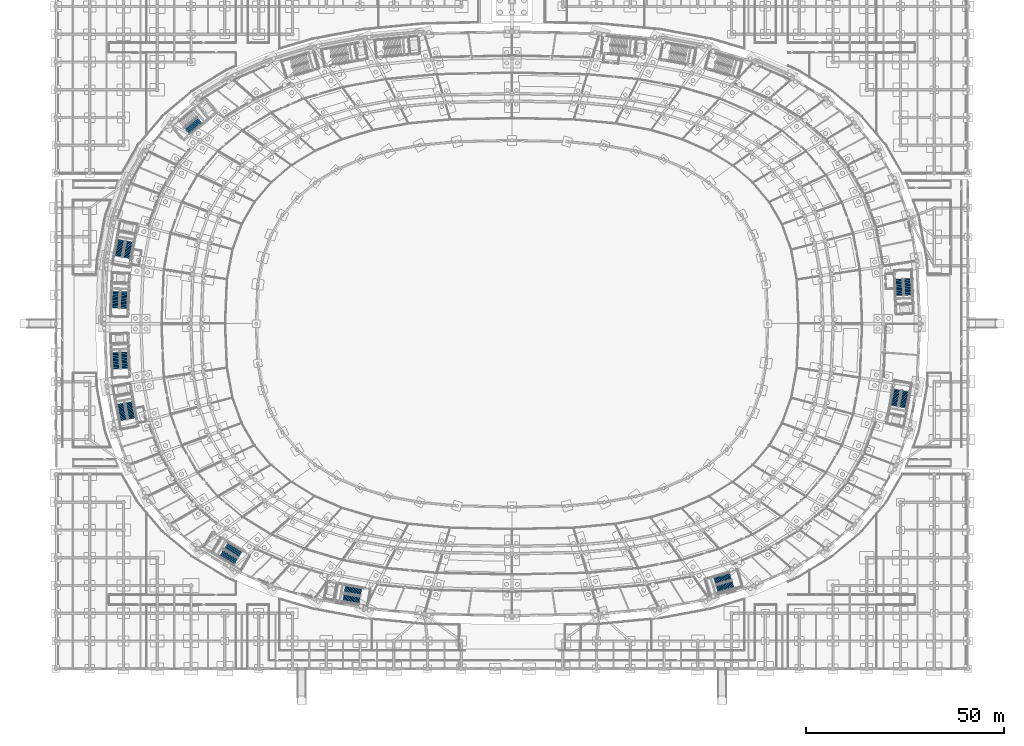
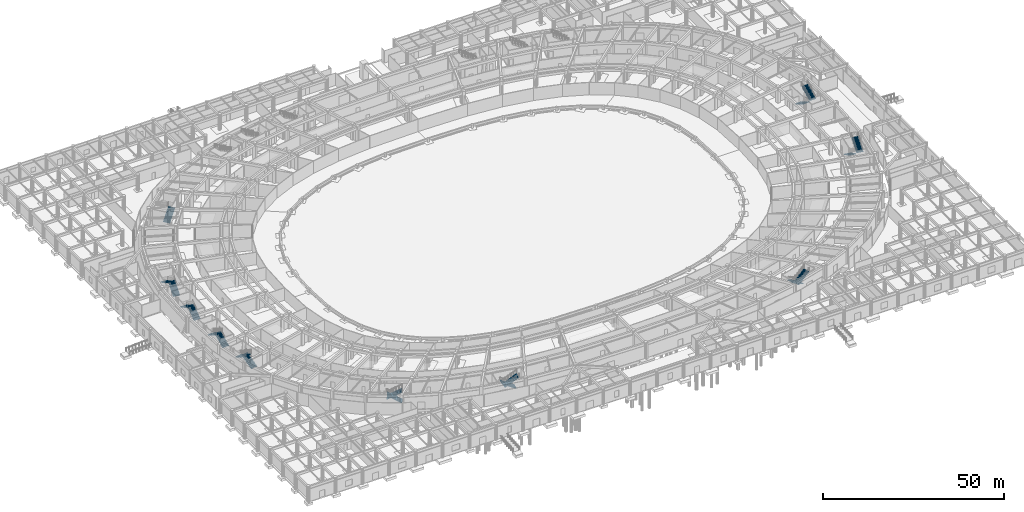
# One storey, part 66 of 88: 19 stair flights, 10 elements without a shape of their own.
"""IFC4 building model written with IfcOpenShell, lengths in metres."""

from ifc_helpers import new_model, si_unit, direction, frame, origin, place, context, subcontext, project, spatial, polyline, outline, extrude, material, type_object, element, aggregate, save


model = new_model("IFC4")

# Units and contexts
model_context = context("Model", 3, precision=1e-05, world=origin(), true_north=direction((0.0, 1.0)))
body_context = subcontext(model_context, "Body", "Model", "MODEL_VIEW")
ifc_project = project(units=[si_unit("LENGTHUNIT", "METRE"), si_unit("AREAUNIT", "SQUARE_METRE"), si_unit("VOLUMEUNIT", "CUBIC_METRE"), si_unit("PLANEANGLEUNIT", "RADIAN"), si_unit("MASSUNIT", "GRAM", prefix="KILO")], contexts=[model_context])

# Site, building, storey
site_placement = place(None, origin())
site = spatial("IfcSite", under=ifc_project, at=site_placement, CompositionType="ELEMENT")
building_placement = place(site_placement, origin())
building = spatial("IfcBuilding", under=site, at=building_placement, Name="Mphavela Belvedere Stadium", CompositionType="ELEMENT")
storey_placement = place(building_placement, origin())
storey = spatial("IfcBuildingStorey", under=building, at=storey_placement, Name="L00", CompositionType="ELEMENT", Elevation=0.0)

# Stair, stair flights
ifc_material_1 = material(Name="Concrete C40/50", Category="concrete")
stair_type_1 = type_object("IfcStairType", Name="STR-HALF-TURN-1", PredefinedType="HALF_TURN_STAIR", material=ifc_material_1)
stair_1_placement = place(storey_placement, origin())
stair_1 = element("IfcStair", 1, at=stair_1_placement, inside=storey, type_object=stair_type_1, Name="L00 Escape stair core C01", PredefinedType="HALF_TURN_STAIR")
ifc_material_2 = material(Name="Concrete C40/50", Category="concrete")
stair_flight_type = type_object("IfcStairFlightType", Name="SFL-CORE-152", PredefinedType="STRAIGHT", material=ifc_material_2)
stair_flight_1_placement = place(storey_placement, frame((212.57373046875, 98.3193359375, 0.0), z_axis=(0.0, 0.0, 1.0), x_axis=(0.041875653729, -0.999122830099, 0.0)))
stair_flight_1 = element("IfcStairFlight", 2, at=stair_flight_1_placement, type_object=stair_flight_type, Name="ST-C01 flight 1", NumberOfRisers=15, NumberOfTreads=14, PredefinedType="STRAIGHT", RiserHeight=0.18, TreadLength=0.302, context=body_context, shape_type="SweptSolid", body=[
    extrude(outline(polyline([(0.0, 0.0), (0.0, 0.179931640625), (0.302001953125, 0.179931640625), (0.302001953125, 0.360107421875), (0.60400390625, 0.360107421875), (0.60400390625, 0.5400390625), (0.906005859375, 0.5400390625), (0.906005859375, 0.719970703125), (1.2080078125, 0.719970703125), (1.2080078125, 0.89990234375), (1.510009765625, 0.89990234375), (1.510009765625, 1.080078125), (1.81201171875, 1.080078125), (1.81201171875, 1.260009765625), (2.114013671875, 1.260009765625), (2.114013671875, 1.43994140625), (2.416015625, 1.43994140625), (2.416015625, 1.6201171875), (2.718017578125, 1.6201171875), (2.718017578125, 1.800048828125), (3.02001953125, 1.800048828125), (3.02001953125, 1.97998046875), (3.322021484375, 1.97998046875), (3.322021484375, 2.159912109375), (3.6240234375, 2.159912109375), (3.6240234375, 2.340087890625), (3.926025390625, 2.340087890625), (3.926025390625, 2.52001953125), (4.22802734375, 2.52001953125), (4.22802734375, 2.699951171875), (4.22802734375, 2.345458984375), (0.292724609375, 0.0), (0.0, 0.0)])), frame((0.0, 1.010009765625, 0.0), z_axis=(0.0, -1.0, 0.0), x_axis=(1.0, 0.0, 0.0)), (0.0, 0.0, 1.0), 2.02001953125),
])
stair_flight_2_placement = place(storey_placement, frame((214.9189453125, 94.185791015625, 2.699951171875), z_axis=(0.0, 0.0, 1.0), x_axis=(-0.041875653729, 0.999122830099, 0.0)))
stair_flight_2 = element("IfcStairFlight", 3, at=stair_flight_2_placement, type_object=stair_flight_type, Name="ST-C01 flight 2", NumberOfRisers=15, NumberOfTreads=14, PredefinedType="STRAIGHT", RiserHeight=0.18, TreadLength=0.302, context=body_context, shape_type="SweptSolid", body=[
    extrude(outline(polyline([(0.0, 0.0), (0.0, 0.179931640625), (0.302001953125, 0.179931640625), (0.302001953125, 0.360107421875), (0.60400390625, 0.360107421875), (0.60400390625, 0.5400390625), (0.906005859375, 0.5400390625), (0.906005859375, 0.719970703125), (1.2080078125, 0.719970703125), (1.2080078125, 0.89990234375), (1.510009765625, 0.89990234375), (1.510009765625, 1.080078125), (1.81201171875, 1.080078125), (1.81201171875, 1.260009765625), (2.114013671875, 1.260009765625), (2.114013671875, 1.43994140625), (2.416015625, 1.43994140625), (2.416015625, 1.6201171875), (2.718017578125, 1.6201171875), (2.718017578125, 1.800048828125), (3.02001953125, 1.800048828125), (3.02001953125, 1.97998046875), (3.322021484375, 1.97998046875), (3.322021484375, 2.159912109375), (3.6240234375, 2.159912109375), (3.6240234375, 2.340087890625), (3.926025390625, 2.340087890625), (3.926025390625, 2.52001953125), (4.22802734375, 2.52001953125), (4.22802734375, 2.699951171875), (4.22802734375, 2.345458984375), (0.292724609375, 0.0), (0.0, 0.0)])), frame((0.0, 1.010009765625, 0.0), z_axis=(0.0, -1.0, 0.0), x_axis=(1.0, 0.0, 0.0)), (0.0, 0.0, 1.0), 2.02001953125),
])
aggregate(stair_1, [stair_flight_1, stair_flight_2])

# Stair, stair flight
ifc_material_3 = material(Name="Concrete C40/50", Category="concrete")
stair_type_2 = type_object("IfcStairType", Name="STR-HALF-TURN-2", PredefinedType="HALF_TURN_STAIR", material=ifc_material_3)
stair_2_placement = place(storey_placement, origin())
stair_2 = element("IfcStair", 4, at=stair_2_placement, inside=storey, type_object=stair_type_2, Name="L00 Escape stair core C05", PredefinedType="HALF_TURN_STAIR")
stair_flight_3_placement = place(storey_placement, frame((33.068115234375, 135.525146484375, 0.0), z_axis=(0.0, 0.0, 1.0), x_axis=(0.764246456939, 0.644924300253, 0.0)))
stair_flight_3 = element("IfcStairFlight", 5, at=stair_flight_3_placement, type_object=stair_flight_type, Name="ST-C05 flight 1", NumberOfRisers=15, NumberOfTreads=14, PredefinedType="STRAIGHT", RiserHeight=0.18, TreadLength=0.302, context=body_context, shape_type="SweptSolid", body=[
    extrude(outline(polyline([(0.0, 0.0), (0.0, 0.179931640625), (0.302001953125, 0.179931640625), (0.302001953125, 0.360107421875), (0.60400390625, 0.360107421875), (0.60400390625, 0.5400390625), (0.906005859375, 0.5400390625), (0.906005859375, 0.719970703125), (1.2080078125, 0.719970703125), (1.2080078125, 0.89990234375), (1.510009765625, 0.89990234375), (1.510009765625, 1.080078125), (1.81201171875, 1.080078125), (1.81201171875, 1.260009765625), (2.114013671875, 1.260009765625), (2.114013671875, 1.43994140625), (2.416015625, 1.43994140625), (2.416015625, 1.6201171875), (2.718017578125, 1.6201171875), (2.718017578125, 1.800048828125), (3.02001953125, 1.800048828125), (3.02001953125, 1.97998046875), (3.322021484375, 1.97998046875), (3.322021484375, 2.159912109375), (3.6240234375, 2.159912109375), (3.6240234375, 2.340087890625), (3.926025390625, 2.340087890625), (3.926025390625, 2.52001953125), (4.22802734375, 2.52001953125), (4.22802734375, 2.699951171875), (4.22802734375, 2.345458984375), (0.292724609375, 0.0), (0.0, 0.0)])), frame((0.0, 1.010009765625, 0.0), z_axis=(0.0, -1.0, 0.0), x_axis=(1.0, 0.0, 0.0)), (0.0, 0.0, 1.0), 2.02001953125),
])
aggregate(stair_2, [stair_flight_3])

# Stair, stair flights
ifc_material_4 = material(Name="Concrete C40/50", Category="concrete")
stair_type_3 = type_object("IfcStairType", Name="STR-HALF-TURN-3", PredefinedType="HALF_TURN_STAIR", material=ifc_material_4)
stair_3_placement = place(storey_placement, origin())
stair_3 = element("IfcStair", 6, at=stair_3_placement, inside=storey, type_object=stair_type_3, Name="L00 Escape stair core C06", PredefinedType="HALF_TURN_STAIR")
stair_flight_4_placement = place(storey_placement, frame((17.851806640625, 103.57861328125, 0.0), z_axis=(0.0, 0.0, 1.0), x_axis=(0.182578735093, 0.983191235463, 0.0)))
stair_flight_4 = element("IfcStairFlight", 7, at=stair_flight_4_placement, type_object=stair_flight_type, Name="ST-C06 flight 1", NumberOfRisers=15, NumberOfTreads=14, PredefinedType="STRAIGHT", RiserHeight=0.18, TreadLength=0.302, context=body_context, shape_type="SweptSolid", body=[
    extrude(outline(polyline([(0.0, 0.0), (0.0, 0.179931640625), (0.302001953125, 0.179931640625), (0.302001953125, 0.360107421875), (0.60400390625, 0.360107421875), (0.60400390625, 0.5400390625), (0.906005859375, 0.5400390625), (0.906005859375, 0.719970703125), (1.2080078125, 0.719970703125), (1.2080078125, 0.89990234375), (1.510009765625, 0.89990234375), (1.510009765625, 1.080078125), (1.81201171875, 1.080078125), (1.81201171875, 1.260009765625), (2.114013671875, 1.260009765625), (2.114013671875, 1.43994140625), (2.416015625, 1.43994140625), (2.416015625, 1.6201171875), (2.718017578125, 1.6201171875), (2.718017578125, 1.800048828125), (3.02001953125, 1.800048828125), (3.02001953125, 1.97998046875), (3.322021484375, 1.97998046875), (3.322021484375, 2.159912109375), (3.6240234375, 2.159912109375), (3.6240234375, 2.340087890625), (3.926025390625, 2.340087890625), (3.926025390625, 2.52001953125), (4.22802734375, 2.52001953125), (4.22802734375, 2.699951171875), (4.22802734375, 2.345458984375), (0.292724609375, 0.0), (0.0, 0.0)])), frame((0.0, 1.010009765625, 0.0), z_axis=(0.0, -1.0, 0.0), x_axis=(1.0, 0.0, 0.0)), (0.0, 0.0, 1.0), 2.02001953125),
])
stair_flight_5_placement = place(storey_placement, frame((16.490234375, 108.131591796875, 2.699951171875), z_axis=(0.0, 0.0, 1.0), x_axis=(-0.182578735093, -0.983191235463, 0.0)))
stair_flight_5 = element("IfcStairFlight", 8, at=stair_flight_5_placement, type_object=stair_flight_type, Name="ST-C06 flight 2", NumberOfRisers=15, NumberOfTreads=14, PredefinedType="STRAIGHT", RiserHeight=0.18, TreadLength=0.302, context=body_context, shape_type="SweptSolid", body=[
    extrude(outline(polyline([(0.0, 0.0), (0.0, 0.179931640625), (0.302001953125, 0.179931640625), (0.302001953125, 0.360107421875), (0.60400390625, 0.360107421875), (0.60400390625, 0.5400390625), (0.906005859375, 0.5400390625), (0.906005859375, 0.719970703125), (1.2080078125, 0.719970703125), (1.2080078125, 0.89990234375), (1.510009765625, 0.89990234375), (1.510009765625, 1.080078125), (1.81201171875, 1.080078125), (1.81201171875, 1.260009765625), (2.114013671875, 1.260009765625), (2.114013671875, 1.43994140625), (2.416015625, 1.43994140625), (2.416015625, 1.6201171875), (2.718017578125, 1.6201171875), (2.718017578125, 1.800048828125), (3.02001953125, 1.800048828125), (3.02001953125, 1.97998046875), (3.322021484375, 1.97998046875), (3.322021484375, 2.159912109375), (3.6240234375, 2.159912109375), (3.6240234375, 2.340087890625), (3.926025390625, 2.340087890625), (3.926025390625, 2.52001953125), (4.22802734375, 2.52001953125), (4.22802734375, 2.699951171875), (4.22802734375, 2.345458984375), (0.292724609375, 0.0), (0.0, 0.0)])), frame((0.0, 1.010009765625, 0.0), z_axis=(0.0, -1.0, 0.0), x_axis=(1.0, 0.0, 0.0)), (0.0, 0.0, 1.0), 2.02001953125),
])
aggregate(stair_3, [stair_flight_4, stair_flight_5])

stair_4_placement = place(storey_placement, origin())
stair_4 = element("IfcStair", 9, at=stair_4_placement, inside=storey, type_object=stair_type_1, Name="L00 Escape stair core C07", PredefinedType="HALF_TURN_STAIR")
stair_flight_6_placement = place(storey_placement, frame((17.11376953125, 90.86572265625, 0.0), z_axis=(0.0, 0.0, 1.0), x_axis=(0.041875653729, 0.999122830099, 0.0)))
stair_flight_6 = element("IfcStairFlight", 10, at=stair_flight_6_placement, type_object=stair_flight_type, Name="ST-C07 flight 1", NumberOfRisers=15, NumberOfTreads=14, PredefinedType="STRAIGHT", RiserHeight=0.18, TreadLength=0.302, context=body_context, shape_type="SweptSolid", body=[
    extrude(outline(polyline([(0.0, 0.0), (0.0, 0.179931640625), (0.302001953125, 0.179931640625), (0.302001953125, 0.360107421875), (0.60400390625, 0.360107421875), (0.60400390625, 0.5400390625), (0.906005859375, 0.5400390625), (0.906005859375, 0.719970703125), (1.2080078125, 0.719970703125), (1.2080078125, 0.89990234375), (1.510009765625, 0.89990234375), (1.510009765625, 1.080078125), (1.81201171875, 1.080078125), (1.81201171875, 1.260009765625), (2.114013671875, 1.260009765625), (2.114013671875, 1.43994140625), (2.416015625, 1.43994140625), (2.416015625, 1.6201171875), (2.718017578125, 1.6201171875), (2.718017578125, 1.800048828125), (3.02001953125, 1.800048828125), (3.02001953125, 1.97998046875), (3.322021484375, 1.97998046875), (3.322021484375, 2.159912109375), (3.6240234375, 2.159912109375), (3.6240234375, 2.340087890625), (3.926025390625, 2.340087890625), (3.926025390625, 2.52001953125), (4.22802734375, 2.52001953125), (4.22802734375, 2.699951171875), (4.22802734375, 2.345458984375), (0.292724609375, 0.0), (0.0, 0.0)])), frame((0.0, 1.010009765625, 0.0), z_axis=(0.0, -1.0, 0.0), x_axis=(1.0, 0.0, 0.0)), (0.0, 0.0, 1.0), 2.02001953125),
])
stair_flight_7_placement = place(storey_placement, frame((15.122802734375, 95.180908203125, 2.699951171875), z_axis=(0.0, 0.0, 1.0), x_axis=(-0.041875653729, -0.999122830099, 0.0)))
stair_flight_7 = element("IfcStairFlight", 11, at=stair_flight_7_placement, type_object=stair_flight_type, Name="ST-C07 flight 2", NumberOfRisers=15, NumberOfTreads=14, PredefinedType="STRAIGHT", RiserHeight=0.18, TreadLength=0.302, context=body_context, shape_type="SweptSolid", body=[
    extrude(outline(polyline([(0.0, 0.0), (0.0, 0.179931640625), (0.302001953125, 0.179931640625), (0.302001953125, 0.360107421875), (0.60400390625, 0.360107421875), (0.60400390625, 0.5400390625), (0.906005859375, 0.5400390625), (0.906005859375, 0.719970703125), (1.2080078125, 0.719970703125), (1.2080078125, 0.89990234375), (1.510009765625, 0.89990234375), (1.510009765625, 1.080078125), (1.81201171875, 1.080078125), (1.81201171875, 1.260009765625), (2.114013671875, 1.260009765625), (2.114013671875, 1.43994140625), (2.416015625, 1.43994140625), (2.416015625, 1.6201171875), (2.718017578125, 1.6201171875), (2.718017578125, 1.800048828125), (3.02001953125, 1.800048828125), (3.02001953125, 1.97998046875), (3.322021484375, 1.97998046875), (3.322021484375, 2.159912109375), (3.6240234375, 2.159912109375), (3.6240234375, 2.340087890625), (3.926025390625, 2.340087890625), (3.926025390625, 2.52001953125), (4.22802734375, 2.52001953125), (4.22802734375, 2.699951171875), (4.22802734375, 2.345458984375), (0.292724609375, 0.0), (0.0, 0.0)])), frame((0.0, 1.010009765625, 0.0), z_axis=(0.0, -1.0, 0.0), x_axis=(1.0, 0.0, 0.0)), (0.0, 0.0, 1.0), 2.02001953125),
])
aggregate(stair_4, [stair_flight_6, stair_flight_7])

stair_5_placement = place(storey_placement, origin())
stair_5 = element("IfcStair", 12, at=stair_5_placement, inside=storey, type_object=stair_type_2, Name="L00 Escape stair core C08", PredefinedType="HALF_TURN_STAIR")
stair_flight_8_placement = place(storey_placement, frame((17.42626953125, 75.6806640625, 0.0), z_axis=(0.0, 0.0, 1.0), x_axis=(-0.041875653729, 0.999122830099, 0.0)))
stair_flight_8 = element("IfcStairFlight", 13, at=stair_flight_8_placement, type_object=stair_flight_type, Name="ST-C08 flight 1", NumberOfRisers=15, NumberOfTreads=14, PredefinedType="STRAIGHT", RiserHeight=0.18, TreadLength=0.302, context=body_context, shape_type="SweptSolid", body=[
    extrude(outline(polyline([(0.0, 0.0), (0.0, 0.179931640625), (0.302001953125, 0.179931640625), (0.302001953125, 0.360107421875), (0.60400390625, 0.360107421875), (0.60400390625, 0.5400390625), (0.906005859375, 0.5400390625), (0.906005859375, 0.719970703125), (1.2080078125, 0.719970703125), (1.2080078125, 0.89990234375), (1.510009765625, 0.89990234375), (1.510009765625, 1.080078125), (1.81201171875, 1.080078125), (1.81201171875, 1.260009765625), (2.114013671875, 1.260009765625), (2.114013671875, 1.43994140625), (2.416015625, 1.43994140625), (2.416015625, 1.6201171875), (2.718017578125, 1.6201171875), (2.718017578125, 1.800048828125), (3.02001953125, 1.800048828125), (3.02001953125, 1.97998046875), (3.322021484375, 1.97998046875), (3.322021484375, 2.159912109375), (3.6240234375, 2.159912109375), (3.6240234375, 2.340087890625), (3.926025390625, 2.340087890625), (3.926025390625, 2.52001953125), (4.22802734375, 2.52001953125), (4.22802734375, 2.699951171875), (4.22802734375, 2.345458984375), (0.292724609375, 0.0), (0.0, 0.0)])), frame((0.0, 1.010009765625, 0.0), z_axis=(0.0, -1.0, 0.0), x_axis=(1.0, 0.0, 0.0)), (0.0, 0.0, 1.0), 2.02001953125),
])
stair_flight_9_placement = place(storey_placement, frame((15.0810546875, 79.814208984375, 2.699951171875), z_axis=(0.0, 0.0, 1.0), x_axis=(0.041875653729, -0.999122830099, 0.0)))
stair_flight_9 = element("IfcStairFlight", 14, at=stair_flight_9_placement, type_object=stair_flight_type, Name="ST-C08 flight 2", NumberOfRisers=15, NumberOfTreads=14, PredefinedType="STRAIGHT", RiserHeight=0.18, TreadLength=0.302, context=body_context, shape_type="SweptSolid", body=[
    extrude(outline(polyline([(0.0, 0.0), (0.0, 0.179931640625), (0.302001953125, 0.179931640625), (0.302001953125, 0.360107421875), (0.60400390625, 0.360107421875), (0.60400390625, 0.5400390625), (0.906005859375, 0.5400390625), (0.906005859375, 0.719970703125), (1.2080078125, 0.719970703125), (1.2080078125, 0.89990234375), (1.510009765625, 0.89990234375), (1.510009765625, 1.080078125), (1.81201171875, 1.080078125), (1.81201171875, 1.260009765625), (2.114013671875, 1.260009765625), (2.114013671875, 1.43994140625), (2.416015625, 1.43994140625), (2.416015625, 1.6201171875), (2.718017578125, 1.6201171875), (2.718017578125, 1.800048828125), (3.02001953125, 1.800048828125), (3.02001953125, 1.97998046875), (3.322021484375, 1.97998046875), (3.322021484375, 2.159912109375), (3.6240234375, 2.159912109375), (3.6240234375, 2.340087890625), (3.926025390625, 2.340087890625), (3.926025390625, 2.52001953125), (4.22802734375, 2.52001953125), (4.22802734375, 2.699951171875), (4.22802734375, 2.345458984375), (0.292724609375, 0.0), (0.0, 0.0)])), frame((0.0, 1.010009765625, 0.0), z_axis=(0.0, -1.0, 0.0), x_axis=(1.0, 0.0, 0.0)), (0.0, 0.0, 1.0), 2.02001953125),
])
aggregate(stair_5, [stair_flight_8, stair_flight_9])

stair_6_placement = place(storey_placement, origin())
stair_6 = element("IfcStair", 15, at=stair_6_placement, inside=storey, type_object=stair_type_3, Name="L00 Escape stair core C09", PredefinedType="HALF_TURN_STAIR")
stair_flight_10_placement = place(storey_placement, frame((19.2138671875, 63.0869140625, 0.0), z_axis=(0.0, 0.0, 1.0), x_axis=(-0.182578735093, 0.983191235463, 0.0)))
stair_flight_10 = element("IfcStairFlight", 16, at=stair_flight_10_placement, type_object=stair_flight_type, Name="ST-C09 flight 1", NumberOfRisers=15, NumberOfTreads=14, PredefinedType="STRAIGHT", RiserHeight=0.18, TreadLength=0.302, context=body_context, shape_type="SweptSolid", body=[
    extrude(outline(polyline([(0.0, 0.0), (0.0, 0.179931640625), (0.302001953125, 0.179931640625), (0.302001953125, 0.360107421875), (0.60400390625, 0.360107421875), (0.60400390625, 0.5400390625), (0.906005859375, 0.5400390625), (0.906005859375, 0.719970703125), (1.2080078125, 0.719970703125), (1.2080078125, 0.89990234375), (1.510009765625, 0.89990234375), (1.510009765625, 1.080078125), (1.81201171875, 1.080078125), (1.81201171875, 1.260009765625), (2.114013671875, 1.260009765625), (2.114013671875, 1.43994140625), (2.416015625, 1.43994140625), (2.416015625, 1.6201171875), (2.718017578125, 1.6201171875), (2.718017578125, 1.800048828125), (3.02001953125, 1.800048828125), (3.02001953125, 1.97998046875), (3.322021484375, 1.97998046875), (3.322021484375, 2.159912109375), (3.6240234375, 2.159912109375), (3.6240234375, 2.340087890625), (3.926025390625, 2.340087890625), (3.926025390625, 2.52001953125), (4.22802734375, 2.52001953125), (4.22802734375, 2.699951171875), (4.22802734375, 2.345458984375), (0.292724609375, 0.0), (0.0, 0.0)])), frame((0.0, 1.010009765625, 0.0), z_axis=(0.0, -1.0, 0.0), x_axis=(1.0, 0.0, 0.0)), (0.0, 0.0, 1.0), 2.02001953125),
])
stair_flight_11_placement = place(storey_placement, frame((16.308349609375, 66.84765625, 2.699951171875), z_axis=(0.0, 0.0, 1.0), x_axis=(0.182578735093, -0.983191235463, 0.0)))
stair_flight_11 = element("IfcStairFlight", 17, at=stair_flight_11_placement, type_object=stair_flight_type, Name="ST-C09 flight 2", NumberOfRisers=15, NumberOfTreads=14, PredefinedType="STRAIGHT", RiserHeight=0.18, TreadLength=0.302, context=body_context, shape_type="SweptSolid", body=[
    extrude(outline(polyline([(0.0, 0.0), (0.0, 0.179931640625), (0.302001953125, 0.179931640625), (0.302001953125, 0.360107421875), (0.60400390625, 0.360107421875), (0.60400390625, 0.5400390625), (0.906005859375, 0.5400390625), (0.906005859375, 0.719970703125), (1.2080078125, 0.719970703125), (1.2080078125, 0.89990234375), (1.510009765625, 0.89990234375), (1.510009765625, 1.080078125), (1.81201171875, 1.080078125), (1.81201171875, 1.260009765625), (2.114013671875, 1.260009765625), (2.114013671875, 1.43994140625), (2.416015625, 1.43994140625), (2.416015625, 1.6201171875), (2.718017578125, 1.6201171875), (2.718017578125, 1.800048828125), (3.02001953125, 1.800048828125), (3.02001953125, 1.97998046875), (3.322021484375, 1.97998046875), (3.322021484375, 2.159912109375), (3.6240234375, 2.159912109375), (3.6240234375, 2.340087890625), (3.926025390625, 2.340087890625), (3.926025390625, 2.52001953125), (4.22802734375, 2.52001953125), (4.22802734375, 2.699951171875), (4.22802734375, 2.345458984375), (0.292724609375, 0.0), (0.0, 0.0)])), frame((0.0, 1.010009765625, 0.0), z_axis=(0.0, -1.0, 0.0), x_axis=(1.0, 0.0, 0.0)), (0.0, 0.0, 1.0), 2.02001953125),
])
aggregate(stair_6, [stair_flight_10, stair_flight_11])

stair_7_placement = place(storey_placement, origin())
stair_7 = element("IfcStair", 18, at=stair_7_placement, inside=storey, type_object=stair_type_1, Name="L00 Escape stair core C10", PredefinedType="HALF_TURN_STAIR")
stair_flight_12_placement = place(storey_placement, frame((46.510498046875, 28.82666015625, 0.0), z_axis=(0.0, 0.0, 1.0), x_axis=(-0.854368143929, 0.519668235165, 0.0)))
stair_flight_12 = element("IfcStairFlight", 19, at=stair_flight_12_placement, type_object=stair_flight_type, Name="ST-C10 flight 1", NumberOfRisers=15, NumberOfTreads=14, PredefinedType="STRAIGHT", RiserHeight=0.18, TreadLength=0.302, context=body_context, shape_type="SweptSolid", body=[
    extrude(outline(polyline([(0.0, 0.0), (0.0, 0.179931640625), (0.302001953125, 0.179931640625), (0.302001953125, 0.360107421875), (0.60400390625, 0.360107421875), (0.60400390625, 0.5400390625), (0.906005859375, 0.5400390625), (0.906005859375, 0.719970703125), (1.2080078125, 0.719970703125), (1.2080078125, 0.89990234375), (1.510009765625, 0.89990234375), (1.510009765625, 1.080078125), (1.81201171875, 1.080078125), (1.81201171875, 1.260009765625), (2.114013671875, 1.260009765625), (2.114013671875, 1.43994140625), (2.416015625, 1.43994140625), (2.416015625, 1.6201171875), (2.718017578125, 1.6201171875), (2.718017578125, 1.800048828125), (3.02001953125, 1.800048828125), (3.02001953125, 1.97998046875), (3.322021484375, 1.97998046875), (3.322021484375, 2.159912109375), (3.6240234375, 2.159912109375), (3.6240234375, 2.340087890625), (3.926025390625, 2.340087890625), (3.926025390625, 2.52001953125), (4.22802734375, 2.52001953125), (4.22802734375, 2.699951171875), (4.22802734375, 2.345458984375), (0.292724609375, 0.0), (0.0, 0.0)])), frame((0.0, 1.010009765625, 0.0), z_axis=(0.0, -1.0, 0.0), x_axis=(1.0, 0.0, 0.0)), (0.0, 0.0, 1.0), 2.02001953125),
])
stair_flight_13_placement = place(storey_placement, frame((41.770751953125, 29.169677734375, 2.699951171875), z_axis=(0.0, 0.0, 1.0), x_axis=(0.854368143929, -0.519668235165, 0.0)))
stair_flight_13 = element("IfcStairFlight", 20, at=stair_flight_13_placement, type_object=stair_flight_type, Name="ST-C10 flight 2", NumberOfRisers=15, NumberOfTreads=14, PredefinedType="STRAIGHT", RiserHeight=0.18, TreadLength=0.302, context=body_context, shape_type="SweptSolid", body=[
    extrude(outline(polyline([(0.0, 0.0), (0.0, 0.179931640625), (0.302001953125, 0.179931640625), (0.302001953125, 0.360107421875), (0.60400390625, 0.360107421875), (0.60400390625, 0.5400390625), (0.906005859375, 0.5400390625), (0.906005859375, 0.719970703125), (1.2080078125, 0.719970703125), (1.2080078125, 0.89990234375), (1.510009765625, 0.89990234375), (1.510009765625, 1.080078125), (1.81201171875, 1.080078125), (1.81201171875, 1.260009765625), (2.114013671875, 1.260009765625), (2.114013671875, 1.43994140625), (2.416015625, 1.43994140625), (2.416015625, 1.6201171875), (2.718017578125, 1.6201171875), (2.718017578125, 1.800048828125), (3.02001953125, 1.800048828125), (3.02001953125, 1.97998046875), (3.322021484375, 1.97998046875), (3.322021484375, 2.159912109375), (3.6240234375, 2.159912109375), (3.6240234375, 2.340087890625), (3.926025390625, 2.340087890625), (3.926025390625, 2.52001953125), (4.22802734375, 2.52001953125), (4.22802734375, 2.699951171875), (4.22802734375, 2.345458984375), (0.292724609375, 0.0), (0.0, 0.0)])), frame((0.0, 1.010009765625, 0.0), z_axis=(0.0, -1.0, 0.0), x_axis=(1.0, 0.0, 0.0)), (0.0, 0.0, 1.0), 2.02001953125),
])
aggregate(stair_7, [stair_flight_12, stair_flight_13])

stair_8_placement = place(storey_placement, origin())
stair_8 = element("IfcStair", 21, at=stair_8_placement, inside=storey, type_object=stair_type_2, Name="L00 Escape stair core C11", PredefinedType="HALF_TURN_STAIR")
stair_flight_14_placement = place(storey_placement, frame((76.985595703125, 19.331787109375, 0.0), z_axis=(0.0, 0.0, 1.0), x_axis=(-0.983095502692, 0.183093507769, 0.0)))
stair_flight_14 = element("IfcStairFlight", 22, at=stair_flight_14_placement, type_object=stair_flight_type, Name="ST-C11 flight 1", NumberOfRisers=15, NumberOfTreads=14, PredefinedType="STRAIGHT", RiserHeight=0.18, TreadLength=0.302, context=body_context, shape_type="SweptSolid", body=[
    extrude(outline(polyline([(0.0, 0.0), (0.0, 0.179931640625), (0.302001953125, 0.179931640625), (0.302001953125, 0.360107421875), (0.60400390625, 0.360107421875), (0.60400390625, 0.5400390625), (0.906005859375, 0.5400390625), (0.906005859375, 0.719970703125), (1.2080078125, 0.719970703125), (1.2080078125, 0.89990234375), (1.510009765625, 0.89990234375), (1.510009765625, 1.080078125), (1.81201171875, 1.080078125), (1.81201171875, 1.260009765625), (2.114013671875, 1.260009765625), (2.114013671875, 1.43994140625), (2.416015625, 1.43994140625), (2.416015625, 1.6201171875), (2.718017578125, 1.6201171875), (2.718017578125, 1.800048828125), (3.02001953125, 1.800048828125), (3.02001953125, 1.97998046875), (3.322021484375, 1.97998046875), (3.322021484375, 2.159912109375), (3.6240234375, 2.159912109375), (3.6240234375, 2.340087890625), (3.926025390625, 2.340087890625), (3.926025390625, 2.52001953125), (4.22802734375, 2.52001953125), (4.22802734375, 2.699951171875), (4.22802734375, 2.345458984375), (0.292724609375, 0.0), (0.0, 0.0)])), frame((0.0, 1.010009765625, 0.0), z_axis=(0.0, -1.0, 0.0), x_axis=(1.0, 0.0, 0.0)), (0.0, 0.0, 1.0), 2.02001953125),
])
stair_flight_15_placement = place(storey_placement, frame((72.431884765625, 17.972412109375, 2.699951171875), z_axis=(0.0, 0.0, 1.0), x_axis=(0.983095502692, -0.183093507769, 0.0)))
stair_flight_15 = element("IfcStairFlight", 23, at=stair_flight_15_placement, type_object=stair_flight_type, Name="ST-C11 flight 2", NumberOfRisers=15, NumberOfTreads=14, PredefinedType="STRAIGHT", RiserHeight=0.18, TreadLength=0.302, context=body_context, shape_type="SweptSolid", body=[
    extrude(outline(polyline([(0.0, 0.0), (0.0, 0.179931640625), (0.302001953125, 0.179931640625), (0.302001953125, 0.360107421875), (0.60400390625, 0.360107421875), (0.60400390625, 0.5400390625), (0.906005859375, 0.5400390625), (0.906005859375, 0.719970703125), (1.2080078125, 0.719970703125), (1.2080078125, 0.89990234375), (1.510009765625, 0.89990234375), (1.510009765625, 1.080078125), (1.81201171875, 1.080078125), (1.81201171875, 1.260009765625), (2.114013671875, 1.260009765625), (2.114013671875, 1.43994140625), (2.416015625, 1.43994140625), (2.416015625, 1.6201171875), (2.718017578125, 1.6201171875), (2.718017578125, 1.800048828125), (3.02001953125, 1.800048828125), (3.02001953125, 1.97998046875), (3.322021484375, 1.97998046875), (3.322021484375, 2.159912109375), (3.6240234375, 2.159912109375), (3.6240234375, 2.340087890625), (3.926025390625, 2.340087890625), (3.926025390625, 2.52001953125), (4.22802734375, 2.52001953125), (4.22802734375, 2.699951171875), (4.22802734375, 2.345458984375), (0.292724609375, 0.0), (0.0, 0.0)])), frame((0.0, 1.010009765625, 0.0), z_axis=(0.0, -1.0, 0.0), x_axis=(1.0, 0.0, 0.0)), (0.0, 0.0, 1.0), 2.02001953125),
])
aggregate(stair_8, [stair_flight_14, stair_flight_15])

stair_9_placement = place(storey_placement, origin())
stair_9 = element("IfcStair", 24, at=stair_9_placement, inside=storey, type_object=stair_type_3, Name="L00 Escape stair core C12", PredefinedType="HALF_TURN_STAIR")
stair_flight_16_placement = place(storey_placement, frame((212.148193359375, 70.42138671875, 0.0), z_axis=(0.0, 0.0, 1.0), x_axis=(-0.182578735093, -0.983191235463, 0.0)))
stair_flight_16 = element("IfcStairFlight", 25, at=stair_flight_16_placement, type_object=stair_flight_type, Name="ST-C12 flight 1", NumberOfRisers=15, NumberOfTreads=14, PredefinedType="STRAIGHT", RiserHeight=0.18, TreadLength=0.302, context=body_context, shape_type="SweptSolid", body=[
    extrude(outline(polyline([(0.0, 0.0), (0.0, 0.179931640625), (0.302001953125, 0.179931640625), (0.302001953125, 0.360107421875), (0.60400390625, 0.360107421875), (0.60400390625, 0.5400390625), (0.906005859375, 0.5400390625), (0.906005859375, 0.719970703125), (1.2080078125, 0.719970703125), (1.2080078125, 0.89990234375), (1.510009765625, 0.89990234375), (1.510009765625, 1.080078125), (1.81201171875, 1.080078125), (1.81201171875, 1.260009765625), (2.114013671875, 1.260009765625), (2.114013671875, 1.43994140625), (2.416015625, 1.43994140625), (2.416015625, 1.6201171875), (2.718017578125, 1.6201171875), (2.718017578125, 1.800048828125), (3.02001953125, 1.800048828125), (3.02001953125, 1.97998046875), (3.322021484375, 1.97998046875), (3.322021484375, 2.159912109375), (3.6240234375, 2.159912109375), (3.6240234375, 2.340087890625), (3.926025390625, 2.340087890625), (3.926025390625, 2.52001953125), (4.22802734375, 2.52001953125), (4.22802734375, 2.699951171875), (4.22802734375, 2.345458984375), (0.292724609375, 0.0), (0.0, 0.0)])), frame((0.0, 1.010009765625, 0.0), z_axis=(0.0, -1.0, 0.0), x_axis=(1.0, 0.0, 0.0)), (0.0, 0.0, 1.0), 2.02001953125),
])
stair_flight_17_placement = place(storey_placement, frame((213.509765625, 65.868408203125, 2.699951171875), z_axis=(0.0, 0.0, 1.0), x_axis=(0.182578735093, 0.983191235463, 0.0)))
stair_flight_17 = element("IfcStairFlight", 26, at=stair_flight_17_placement, type_object=stair_flight_type, Name="ST-C12 flight 2", NumberOfRisers=15, NumberOfTreads=14, PredefinedType="STRAIGHT", RiserHeight=0.18, TreadLength=0.302, context=body_context, shape_type="SweptSolid", body=[
    extrude(outline(polyline([(0.0, 0.0), (0.0, 0.179931640625), (0.302001953125, 0.179931640625), (0.302001953125, 0.360107421875), (0.60400390625, 0.360107421875), (0.60400390625, 0.5400390625), (0.906005859375, 0.5400390625), (0.906005859375, 0.719970703125), (1.2080078125, 0.719970703125), (1.2080078125, 0.89990234375), (1.510009765625, 0.89990234375), (1.510009765625, 1.080078125), (1.81201171875, 1.080078125), (1.81201171875, 1.260009765625), (2.114013671875, 1.260009765625), (2.114013671875, 1.43994140625), (2.416015625, 1.43994140625), (2.416015625, 1.6201171875), (2.718017578125, 1.6201171875), (2.718017578125, 1.800048828125), (3.02001953125, 1.800048828125), (3.02001953125, 1.97998046875), (3.322021484375, 1.97998046875), (3.322021484375, 2.159912109375), (3.6240234375, 2.159912109375), (3.6240234375, 2.340087890625), (3.926025390625, 2.340087890625), (3.926025390625, 2.52001953125), (4.22802734375, 2.52001953125), (4.22802734375, 2.699951171875), (4.22802734375, 2.345458984375), (0.292724609375, 0.0), (0.0, 0.0)])), frame((0.0, 1.010009765625, 0.0), z_axis=(0.0, -1.0, 0.0), x_axis=(1.0, 0.0, 0.0)), (0.0, 0.0, 1.0), 2.02001953125),
])
aggregate(stair_9, [stair_flight_16, stair_flight_17])

ifc_material_5 = material(Name="Precast concrete C45/55", Category="concrete")
stair_type_4 = type_object("IfcStairType", Name="STR-TWO-RET-2", PredefinedType="TWO_STRAIGHT_RUN_STAIR", material=ifc_material_5)
stair_10_placement = place(storey_placement, origin())
stair_10 = element("IfcStair", 27, at=stair_10_placement, inside=storey, type_object=stair_type_4, Name="L00 Escape stair core P04", PredefinedType="TWO_STRAIGHT_RUN_STAIR")
stair_flight_18_placement = place(storey_placement, frame((170.126953125, 23.3330078125, 0.0), z_axis=(0.0, 0.0, 1.0), x_axis=(-0.958670893355, -0.284517342588, 0.0)))
stair_flight_18 = element("IfcStairFlight", 28, at=stair_flight_18_placement, type_object=stair_flight_type, Name="ST-P04 flight 1", NumberOfRisers=15, NumberOfTreads=14, PredefinedType="STRAIGHT", RiserHeight=0.18, TreadLength=0.302, context=body_context, shape_type="SweptSolid", body=[
    extrude(outline(polyline([(0.0, 0.0), (0.0, 0.179931640625), (0.302001953125, 0.179931640625), (0.302001953125, 0.360107421875), (0.60400390625, 0.360107421875), (0.60400390625, 0.5400390625), (0.906005859375, 0.5400390625), (0.906005859375, 0.719970703125), (1.2080078125, 0.719970703125), (1.2080078125, 0.89990234375), (1.510009765625, 0.89990234375), (1.510009765625, 1.080078125), (1.81201171875, 1.080078125), (1.81201171875, 1.260009765625), (2.114013671875, 1.260009765625), (2.114013671875, 1.43994140625), (2.416015625, 1.43994140625), (2.416015625, 1.6201171875), (2.718017578125, 1.6201171875), (2.718017578125, 1.800048828125), (3.02001953125, 1.800048828125), (3.02001953125, 1.97998046875), (3.322021484375, 1.97998046875), (3.322021484375, 2.159912109375), (3.6240234375, 2.159912109375), (3.6240234375, 2.340087890625), (3.926025390625, 2.340087890625), (3.926025390625, 2.52001953125), (4.22802734375, 2.52001953125), (4.22802734375, 2.699951171875), (4.22802734375, 2.345458984375), (0.292724609375, 0.0), (0.0, 0.0)])), frame((0.0, 1.010009765625, 0.0), z_axis=(0.0, -1.0, 0.0), x_axis=(1.0, 0.0, 0.0)), (0.0, 0.0, 1.0), 2.02001953125),
])
stair_flight_19_placement = place(storey_placement, frame((166.69091796875, 20.0498046875, 2.699951171875), z_axis=(0.0, 0.0, 1.0), x_axis=(0.958670893355, 0.284517342588, 0.0)))
stair_flight_19 = element("IfcStairFlight", 29, at=stair_flight_19_placement, type_object=stair_flight_type, Name="ST-P04 flight 2", NumberOfRisers=15, NumberOfTreads=14, PredefinedType="STRAIGHT", RiserHeight=0.18, TreadLength=0.302, context=body_context, shape_type="SweptSolid", body=[
    extrude(outline(polyline([(0.0, 0.0), (0.0, 0.179931640625), (0.302001953125, 0.179931640625), (0.302001953125, 0.360107421875), (0.60400390625, 0.360107421875), (0.60400390625, 0.5400390625), (0.906005859375, 0.5400390625), (0.906005859375, 0.719970703125), (1.2080078125, 0.719970703125), (1.2080078125, 0.89990234375), (1.510009765625, 0.89990234375), (1.510009765625, 1.080078125), (1.81201171875, 1.080078125), (1.81201171875, 1.260009765625), (2.114013671875, 1.260009765625), (2.114013671875, 1.43994140625), (2.416015625, 1.43994140625), (2.416015625, 1.6201171875), (2.718017578125, 1.6201171875), (2.718017578125, 1.800048828125), (3.02001953125, 1.800048828125), (3.02001953125, 1.97998046875), (3.322021484375, 1.97998046875), (3.322021484375, 2.159912109375), (3.6240234375, 2.159912109375), (3.6240234375, 2.340087890625), (3.926025390625, 2.340087890625), (3.926025390625, 2.52001953125), (4.22802734375, 2.52001953125), (4.22802734375, 2.699951171875), (4.22802734375, 2.345458984375), (0.292724609375, 0.0), (0.0, 0.0)])), frame((0.0, 1.010009765625, 0.0), z_axis=(0.0, -1.0, 0.0), x_axis=(1.0, 0.0, 0.0)), (0.0, 0.0, 1.0), 2.02001953125),
])
aggregate(stair_10, [stair_flight_18, stair_flight_19])

save(model, "model.ifc")
